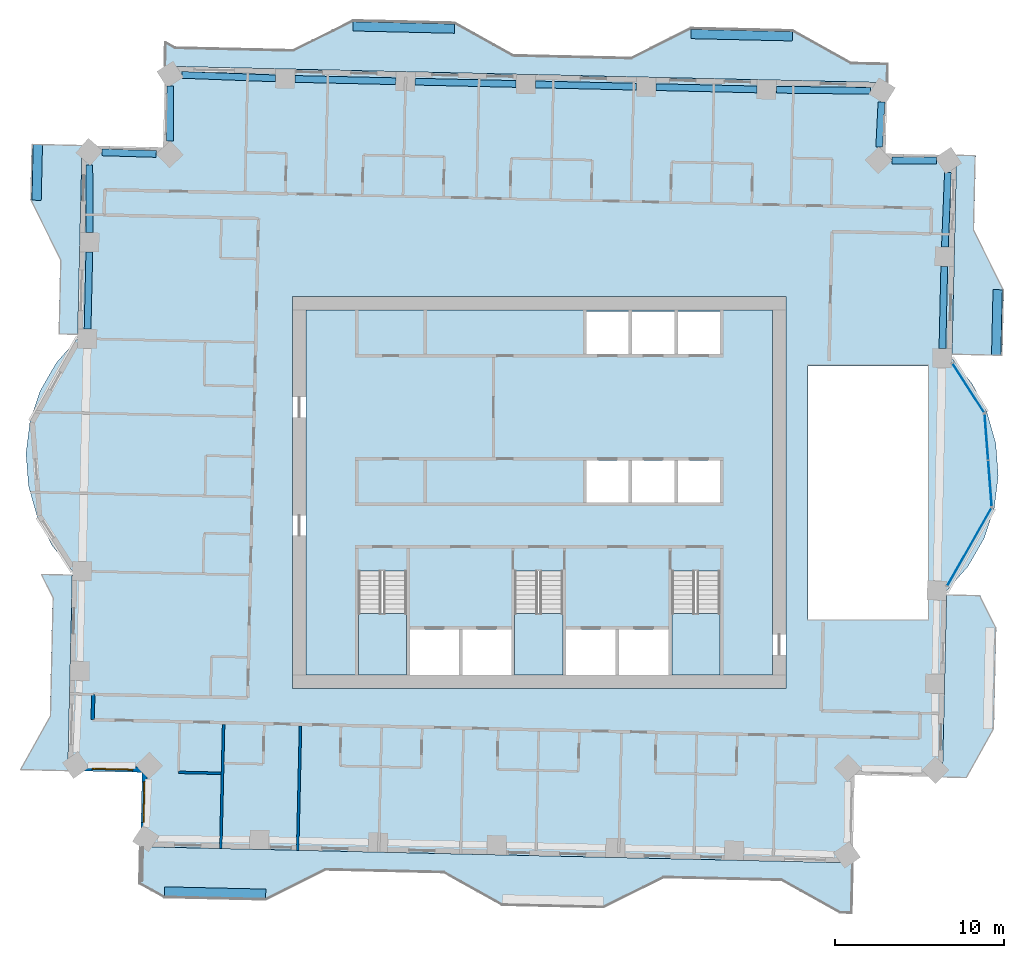
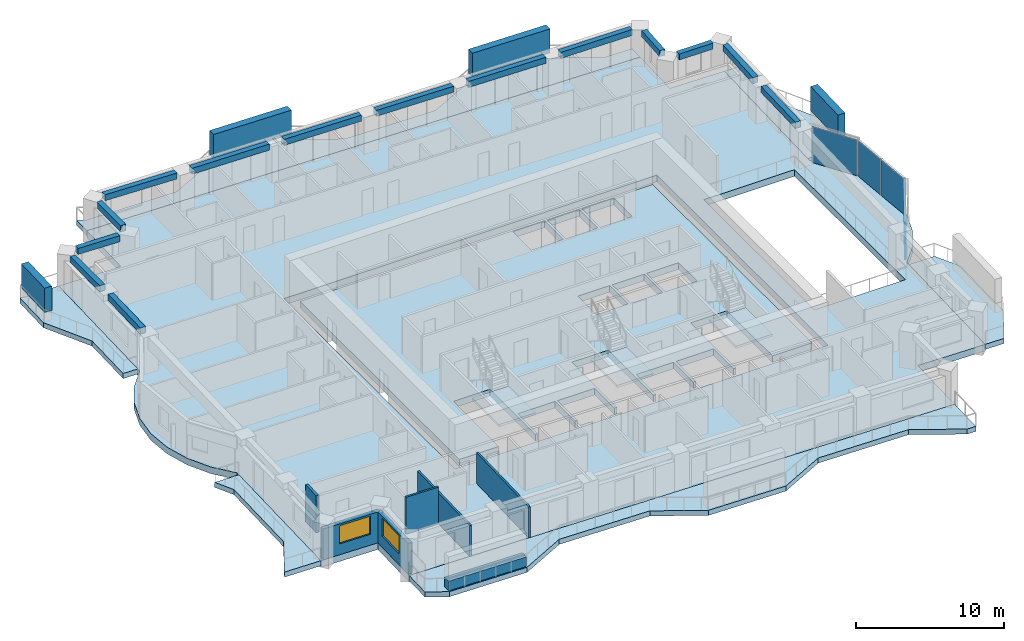
# One storey, part 3 of 14: 14 beams, 11 slabs, 7 walls, 4 members, 4 plates, 2 windows, 2 openings, 6 elements without a shape of their own.
"""IFC4 building model written with IfcOpenShell, lengths in metres."""

from ifc_helpers import new_model, si_unit, direction, frame, frame_2d, origin, origin_2d, place, context, subcontext, project, spatial, polyline, rectangle, outline, extrude, material, layer, layer_set, material_profile, profile_set, type_object, element, fill, aggregate, save


model = new_model("IFC4")

# Units and contexts
model_context = context("Model", 3, precision=1e-05, world=origin(), true_north=direction((0.0, 1.0)))
body_context = subcontext(model_context, "Body", "Model", "MODEL_VIEW")
ifc_project = project(units=[si_unit("LENGTHUNIT", "METRE"), si_unit("AREAUNIT", "SQUARE_METRE"), si_unit("VOLUMEUNIT", "CUBIC_METRE"), si_unit("PLANEANGLEUNIT", "RADIAN"), si_unit("MASSUNIT", "GRAM", prefix="KILO")], contexts=[model_context])

# Site, building, storey
site_placement = place(None, origin())
site = spatial("IfcSite", under=ifc_project, at=site_placement, CompositionType="ELEMENT")
building_placement = place(site_placement, origin())
building = spatial("IfcBuilding", under=site, at=building_placement, Name="Mangrove Gate Tower", CompositionType="ELEMENT")
storey_placement = place(building_placement, frame((0.0, 0.0, 205.10009765625)))
storey = spatial("IfcBuildingStorey", under=building, at=storey_placement, Name="L52", CompositionType="ELEMENT", Elevation=205.10009765625)

# Members
ifc_material_1 = material(Name="Planting on aluminium trellis", Category="aluminium")
ifc_material_profile_1 = material_profile(ifc_material_1, rectangle(XDim=0.550048828125, YDim=2.0, at=origin_2d()))
ifc_profile_set_1 = profile_set([ifc_material_profile_1], Name="Planting on aluminium trellis")
member_type = type_object("IfcMemberType", Name="Balcony greenery screen 550x2000", PredefinedType="USERDEFINED", material=ifc_profile_set_1)
member_1_placement = place(storey_placement, frame((27.041015625, 8.126953125, 1.7998046875), z_axis=(0.022681332769, 0.999742745482, 0.0), x_axis=(-0.999742745482, 0.022681332769, 0.0)))
element("IfcMember", 1, at=member_1_placement, inside=storey, type_object=member_type, Name="GREEN SCREEN L52 E1.1", ObjectType="PLANTING", PredefinedType="USERDEFINED", context=body_context, shape_type="SweptSolid", body=[
    extrude(rectangle(XDim=0.550048828125, YDim=2.0, at=origin_2d()), origin(), (0.0, 0.0, 1.0), 3.875),
])
for number, where, z_axis, x_axis, name in (
    (2, (8.98095703125, 27.131103515625, 1.7998046875), (0.999743178102, -0.022662255828, 0.0), (0.022662255828, 0.999743178102, 0.0), "GREEN SCREEN L52 N0.1"),
    (3, (-11.013916015625, 27.5849609375, 1.7998046875), (0.999743178102, -0.022662255828, 0.0), (0.022662255828, 0.999743178102, 0.0), "GREEN SCREEN L52 N1.1"),
):
    element("IfcMember", number, at=place(storey_placement, frame(where, z_axis=z_axis, x_axis=x_axis)), inside=storey, type_object=member_type, Name=name, ObjectType="PLANTING", PredefinedType="USERDEFINED", context=body_context, shape_type="SweptSolid", body=[
        extrude(rectangle(XDim=0.550048828125, YDim=2.0, at=origin_2d()), origin(), (0.0, 0.0, 1.0), 6.00048828125),
    ])
member_2_placement = place(storey_placement, frame((-29.739013671875, 17.29296875, 1.7998046875), z_axis=(0.022713002452, 0.999742026485, 0.0), x_axis=(-0.999742026485, 0.022713002452, 0.0)))
element("IfcMember", 4, at=member_2_placement, inside=storey, type_object=member_type, Name="GREEN SCREEN L52 W0.1", ObjectType="PLANTING", PredefinedType="USERDEFINED", context=body_context, shape_type="SweptSolid", body=[
    extrude(rectangle(XDim=0.550048828125, YDim=2.0, at=origin_2d()), origin(), (0.0, 0.0, 1.0), 3.2998046875),
])

# Beams
ifc_material_2 = material(Name="Concrete C50/60", Category="concrete")
ifc_material_profile_2 = material_profile(ifc_material_2, rectangle(XDim=0.39990234375, YDim=0.5, at=origin_2d()))
ifc_profile_set_2 = profile_set([ifc_material_profile_2], Name="Concrete C50/60")
beam_type = type_object("IfcBeamType", Name="Edge beam RC 400x500 C50/60", PredefinedType="BEAM", material=ifc_profile_set_2)
beam_1_placement = place(storey_placement, frame((23.859130859375, 8.52490234375, 2.7998046875), z_axis=(0.022798974864, 0.999740069591, 0.0), x_axis=(-0.999740069591, 0.022798974864, 0.0)))
element("IfcBeam", 5, at=beam_1_placement, inside=storey, type_object=beam_type, Name="Edge beam L52 15", PredefinedType="BEAM", context=body_context, shape_type="SweptSolid", body=[
    extrude(rectangle(XDim=0.39990234375, YDim=0.5, at=origin_2d()), origin(), (0.0, 0.0, 1.0), 4.861572265625),
])
beam_2_placement = place(storey_placement, frame((24.006591796875, 14.53466796875, 2.7998046875), z_axis=(0.040852484804, 0.999165188788, 0.0), x_axis=(-0.999165188788, 0.040852484804, 0.0)))
element("IfcBeam", 6, at=beam_2_placement, inside=storey, type_object=beam_type, Name="Edge beam L52 16", PredefinedType="BEAM", context=body_context, shape_type="SweptSolid", body=[
    extrude(rectangle(XDim=0.39990234375, YDim=0.5, at=origin_2d()), origin(), (0.0, 0.0, 1.0), 4.3984375),
])
beam_3_placement = place(storey_placement, frame((23.522705078125, 19.64208984375, 2.7998046875), z_axis=(-0.999992123666, 0.003968955263, 0.0), x_axis=(-0.003968955263, -0.999992123666, 0.0)))
element("IfcBeam", 7, at=beam_3_placement, inside=storey, type_object=beam_type, Name="Edge beam L52 17", PredefinedType="BEAM", context=body_context, shape_type="SweptSolid", body=[
    extrude(rectangle(XDim=0.39990234375, YDim=0.5, at=origin_2d()), origin(), (0.0, 0.0, 1.0), 2.64501953125),
])
beam_4_placement = place(storey_placement, frame((20.119140625, 20.446044921875, 2.7998046875), z_axis=(0.050485995205, 0.998724769037, 0.0), x_axis=(-0.998724769037, 0.050485995205, 0.0)))
element("IfcBeam", 8, at=beam_4_placement, inside=storey, type_object=beam_type, Name="Edge beam L52 18", PredefinedType="BEAM", context=body_context, shape_type="SweptSolid", body=[
    extrude(rectangle(XDim=0.39990234375, YDim=0.5, at=origin_2d()), origin(), (0.0, 0.0, 1.0), 2.66455078125),
])
beam_5_placement = place(storey_placement, frame((19.61474609375, 23.77099609375, 2.7998046875), z_axis=(-0.999938842602, 0.011059432882, 0.0), x_axis=(-0.011059432882, -0.999938842602, 0.0)))
element("IfcBeam", 9, at=beam_5_placement, inside=storey, type_object=beam_type, Name="Edge beam L52 19", PredefinedType="BEAM", context=body_context, shape_type="SweptSolid", body=[
    extrude(rectangle(XDim=0.39990234375, YDim=0.5, at=origin_2d()), origin(), (0.0, 0.0, 1.0), 5.5849609375),
])
beam_6_placement = place(storey_placement, frame((12.880126953125, 23.852294921875, 2.7998046875), z_axis=(-0.999741814446, 0.022722333681, 0.0), x_axis=(-0.022722333681, -0.999741814446, 0.0)))
element("IfcBeam", 10, at=beam_6_placement, inside=storey, type_object=beam_type, Name="Edge beam L52 20", PredefinedType="BEAM", context=body_context, shape_type="SweptSolid", body=[
    extrude(rectangle(XDim=0.39990234375, YDim=0.5, at=origin_2d()), origin(), (0.0, 0.0, 1.0), 5.973876953125),
])
beam_7_placement = place(storey_placement, frame((5.758056640625, 24.01416015625, 2.7998046875), z_axis=(-0.999744571166, 0.022600717352, 0.0), x_axis=(-0.022600717352, -0.999744571166, 0.0)))
element("IfcBeam", 11, at=beam_7_placement, inside=storey, type_object=beam_type, Name="Edge beam L52 21", PredefinedType="BEAM", context=body_context, shape_type="SweptSolid", body=[
    extrude(rectangle(XDim=0.39990234375, YDim=0.5, at=origin_2d()), origin(), (0.0, 0.0, 1.0), 5.9736328125),
])
for number, where, z_axis, x_axis, name in (
    (12, (-1.36376953125, 24.17529296875, 2.7998046875), (-0.999741814446, 0.022722333681, 0.0), (-0.022722333681, -0.999741814446, 0.0), "Edge beam L52 22"),
    (13, (-8.48583984375, 24.337158203125, 2.7998046875), (-0.99974459204, 0.02259979395, 0.0), (-0.02259979395, -0.99974459204, 0.0), "Edge beam L52 23"),
):
    element("IfcBeam", number, at=place(storey_placement, frame(where, z_axis=z_axis, x_axis=x_axis)), inside=storey, type_object=beam_type, Name=name, PredefinedType="BEAM", context=body_context, shape_type="SweptSolid", body=[
        extrude(rectangle(XDim=0.39990234375, YDim=0.5, at=origin_2d()), origin(), (0.0, 0.0, 1.0), 5.973876953125),
    ])
beam_8_placement = place(storey_placement, frame((-15.607666015625, 24.506591796875, 2.7998046875), z_axis=(-0.999309985278, 0.037142338694, 0.0), x_axis=(-0.037142338694, -0.999309985278, 0.0)))
element("IfcBeam", 14, at=beam_8_placement, inside=storey, type_object=beam_type, Name="Edge beam L52 24", PredefinedType="BEAM", context=body_context, shape_type="SweptSolid", body=[
    extrude(rectangle(XDim=0.39990234375, YDim=0.5, at=origin_2d()), origin(), (0.0, 0.0, 1.0), 5.528076171875),
])
beam_9_placement = place(storey_placement, frame((-21.834716796875, 24.052734375, 2.7998046875), z_axis=(-0.004737501355, -0.999988777977, 0.0), x_axis=(0.999988777977, -0.004737501355, 0.0)))
element("IfcBeam", 15, at=beam_9_placement, inside=storey, type_object=beam_type, Name="Edge beam L52 25", PredefinedType="BEAM", context=body_context, shape_type="SweptSolid", body=[
    extrude(rectangle(XDim=0.39990234375, YDim=0.5, at=origin_2d()), origin(), (0.0, 0.0, 1.0), 3.24658203125),
])
beam_10_placement = place(storey_placement, frame((-22.660400390625, 20.03173828125, 2.7998046875), z_axis=(-0.999538107107, 0.030390334664, 0.0), x_axis=(-0.030390334664, -0.999538107107, 0.0)))
element("IfcBeam", 16, at=beam_10_placement, inside=storey, type_object=beam_type, Name="Edge beam L52 26", PredefinedType="BEAM", context=body_context, shape_type="SweptSolid", body=[
    extrude(rectangle(XDim=0.39990234375, YDim=0.5, at=origin_2d()), origin(), (0.0, 0.0, 1.0), 3.21337890625),
])
beam_11_placement = place(storey_placement, frame((-26.616455078125, 19.384521484375, 2.7998046875), z_axis=(0.002501517494, -0.9999968712, 0.0), x_axis=(0.9999968712, 0.002501517494, 0.0)))
element("IfcBeam", 17, at=beam_11_placement, inside=storey, type_object=beam_type, Name="Edge beam L52 27", PredefinedType="BEAM", context=body_context, shape_type="SweptSolid", body=[
    extrude(rectangle(XDim=0.39990234375, YDim=0.5, at=origin_2d()), origin(), (0.0, 0.0, 1.0), 4.00146484375),
])
beam_12_placement = place(storey_placement, frame((-26.6181640625, 14.233154296875, 2.7998046875), z_axis=(-0.022586452437, -0.999744893543, 0.0), x_axis=(0.999744893543, -0.022586452437, 0.0)))
element("IfcBeam", 18, at=beam_12_placement, inside=storey, type_object=beam_type, Name="Edge beam L52 28", PredefinedType="BEAM", context=body_context, shape_type="SweptSolid", body=[
    extrude(rectangle(XDim=0.39990234375, YDim=0.5, at=origin_2d()), origin(), (0.0, 0.0, 1.0), 4.5615234375),
])

# Curtain wall, plate
ifc_material_3 = material(Name="Aluminium and glass curtain wall", Category="aluminium")
curtain_wall_type = type_object("IfcCurtainWallType", Name="Atrium garden-court glazing wall", PredefinedType="NOTDEFINED", material=ifc_material_3)
curtain_wall_1_placement = place(storey_placement, origin())
curtain_wall_1 = element("IfcCurtainWall", 19, at=curtain_wall_1_placement, inside=storey, type_object=curtain_wall_type, Name="Atrium garden-court glazing E1f1", PredefinedType="NOTDEFINED")
ifc_material_4 = material(Name="Laminated low-e glass", Category="glass")
ifc_layer_1 = layer(ifc_material_4, 0.031982421875)
ifc_layer_set_1 = layer_set([ifc_layer_1], Name="Atrium garden-court glazing panel 32")
plate_type = type_object("IfcPlateType", Name="Atrium garden-court glazing panel 32", PredefinedType="CURTAIN_PANEL", material=ifc_layer_set_1)
plate_1_placement = place(storey_placement, frame((25.4541015625, -3.217041015625, 0.0), z_axis=(0.0, 0.0, 1.0), x_axis=(0.492599932635, 0.870255885569, 0.0)))
plate_1 = element("IfcPlate", 20, at=plate_1_placement, type_object=plate_type, Name="CWA panel 1.1", PredefinedType="CURTAIN_PANEL", context=body_context, shape_type="SweptSolid", body=[
    extrude(rectangle(XDim=5.258544921875, YDim=0.031982421875, at=origin_2d()), origin(), (0.0, 0.0, 1.0), 2.97998046875),
])
aggregate(curtain_wall_1, [plate_1])

# Curtain wall, plates
curtain_wall_2_placement = place(storey_placement, origin())
curtain_wall_2 = element("IfcCurtainWall", 21, at=curtain_wall_2_placement, inside=storey, type_object=curtain_wall_type, Name="Atrium garden-court glazing E1f2", PredefinedType="NOTDEFINED")
plate_2_placement = place(storey_placement, frame((26.67529296875, 0.538818359375, 0.0), z_axis=(0.0, 0.0, 1.0), x_axis=(-0.077023348229, 0.997029289353, 0.0)))
plate_2 = element("IfcPlate", 22, at=plate_2_placement, type_object=plate_type, Name="CWA panel 1.1", PredefinedType="CURTAIN_PANEL", context=body_context, shape_type="SweptSolid", body=[
    extrude(rectangle(XDim=2.681640625, YDim=0.031982421875, at=origin_2d()), origin(), (0.0, 0.0, 1.0), 2.97998046875),
])
plate_3_placement = place(storey_placement, frame((26.463134765625, 3.2822265625, 0.0), z_axis=(0.0, 0.0, 1.0), x_axis=(-0.077023348229, 0.997029289353, 0.0)))
plate_3 = element("IfcPlate", 23, at=plate_3_placement, type_object=plate_type, Name="CWA panel 2.1", PredefinedType="CURTAIN_PANEL", context=body_context, shape_type="SweptSolid", body=[
    extrude(rectangle(XDim=2.681640625, YDim=0.031982421875, at=origin_2d()), origin(), (0.0, 0.0, 1.0), 2.97998046875),
])
aggregate(curtain_wall_2, [plate_2, plate_3])

# Curtain wall, plate
curtain_wall_3_placement = place(storey_placement, origin())
curtain_wall_3 = element("IfcCurtainWall", 24, at=curtain_wall_3_placement, inside=storey, type_object=curtain_wall_type, Name="Atrium garden-court glazing E1f3", PredefinedType="NOTDEFINED")
plate_4_placement = place(storey_placement, frame((25.389892578125, 6.190185546875, 0.0), z_axis=(0.0, 0.0, 1.0), x_axis=(-0.540523066602, 0.841329195067, 0.0)))
plate_4 = element("IfcPlate", 25, at=plate_4_placement, type_object=plate_type, Name="CWA panel 1.1", PredefinedType="CURTAIN_PANEL", context=body_context, shape_type="SweptSolid", body=[
    extrude(rectangle(XDim=3.428955078125, YDim=0.031982421875, at=origin_2d()), origin(), (0.0, 0.0, 1.0), 2.97998046875),
])
aggregate(curtain_wall_3, [plate_4])

# Slabs
ifc_material_5 = material(Name="Porcelain tile")
ifc_layer_2 = layer(ifc_material_5, 0.02001953125, Name="Tile finish")
ifc_material_6 = material(Name="Cement sand screed")
ifc_layer_3 = layer(ifc_material_6, 0.0400390625, Name="Screed laid to falls")
ifc_material_7 = material(Name="Bituminous waterproofing membrane")
ifc_layer_4 = layer(ifc_material_7, 0.00390625, Name="Waterproofing")
ifc_material_8 = material(Name="Concrete C40/50", Category="concrete")
ifc_layer_5 = layer(ifc_material_8, 0.340087890625, Name="Balcony structural slab")
ifc_material_9 = material(Name="Limestone", Category="masonry")
ifc_layer_6 = layer(ifc_material_9, 0.01611328125, Name="Soffit lining")
ifc_layer_set_2 = layer_set([ifc_layer_2, ifc_layer_3, ifc_layer_4, ifc_layer_5, ifc_layer_6], Name="Balcony slab 420 C40/50")
slab_type_1 = type_object("IfcSlabType", Name="Balcony slab 420 C40/50", PredefinedType="FLOOR", material=ifc_layer_set_2)
slab_1_placement = place(storey_placement, frame((0.0, 0.0, -0.420166015625)))
element("IfcSlab", 26, at=slab_1_placement, inside=storey, type_object=slab_type_1, Name="BALCONY L52 E0", PredefinedType="FLOOR", context=body_context, shape_type="SweptSolid", body=[
    extrude(outline(polyline([(25.31591796875, -16.864990234375), (26.9140625, -14.0009765625), (27.050048828125, -8.001953125), (26.10205078125, -6.10595703125), (24.10400390625, -6.06005859375), (24.06103515625, -7.93505859375), (23.925048828125, -13.93310546875), (23.85888671875, -16.83203125), (25.31591796875, -16.864990234375)])), origin(), (0.0, 0.0, 1.0), 0.420166015625),
])
slab_2_placement = place(storey_placement, frame((0.0, 0.0, -0.420166015625)))
element("IfcSlab", 27, at=slab_2_placement, inside=storey, type_object=slab_type_1, Name="BALCONY L52 E1", PredefinedType="FLOOR", context=body_context, shape_type="SweptSolid", body=[
    extrude(outline(polyline([(27.416015625, 8.118896484375), (27.50390625, 11.991943359375), (25.73388671875, 15.532958984375), (25.833984375, 19.931884765625), (24.694091796875, 19.9580078125), (24.593994140625, 15.55908203125), (24.514892578125, 12.06005859375), (24.427001953125, 8.18701171875), (27.416015625, 8.118896484375)])), origin(), (0.0, 0.0, 1.0), 0.420166015625),
])
slab_3_placement = place(storey_placement, frame((0.0, 0.0, -0.420166015625)))
element("IfcSlab", 28, at=slab_3_placement, inside=storey, type_object=slab_type_1, Name="BALCONY L52 N0", PredefinedType="FLOOR", context=body_context, shape_type="SweptSolid", body=[
    extrude(outline(polyline([(20.615966796875, 25.39208984375), (18.445068359375, 25.44091796875), (14.988037109375, 27.3701171875), (8.989013671875, 27.506103515625), (5.447998046875, 25.736083984375), (-1.550048828125, 25.89501953125), (-5.007080078125, 27.823974609375), (-11.006103515625, 27.9599609375), (-14.547119140625, 26.19091796875), (-21.544921875, 26.34912109375), (-22.110107421875, 26.6640625), (-22.14208984375, 25.221923828125), (20.590087890625, 24.251953125), (20.615966796875, 25.39208984375)])), origin(), (0.0, 0.0, 1.0), 0.420166015625),
])
slab_4_placement = place(storey_placement, frame((0.0, 0.0, -0.420166015625)))
element("IfcSlab", 29, at=slab_4_placement, inside=storey, type_object=slab_type_1, Name="BALCONY L52 W0", PredefinedType="FLOOR", context=body_context, shape_type="SweptSolid", body=[
    extrude(outline(polyline([(-30.0390625, 20.60009765625), (-30.114013671875, 17.301025390625), (-28.343994140625, 13.760009765625), (-28.443115234375, 9.385986328125), (-27.303955078125, 9.360107421875), (-27.2041015625, 13.73388671875), (-27.125, 17.23291015625), (-27.050048828125, 20.531982421875), (-30.0390625, 20.60009765625)])), origin(), (0.0, 0.0, 1.0), 0.420166015625),
])
slab_5_placement = place(storey_placement, frame((0.0, 0.0, -0.420166015625)))
element("IfcSlab", 30, at=slab_5_placement, inside=storey, type_object=slab_type_1, Name="BALCONY L52 W1", PredefinedType="FLOOR", context=body_context, shape_type="SweptSolid", body=[
    extrude(outline(polyline([(-29.492919921875, -4.843994140625), (-28.798095703125, -6.235107421875), (-28.95703125, -13.23291015625), (-30.719970703125, -16.39404296875), (-27.889892578125, -16.4580078125), (-27.81689453125, -13.259033203125), (-27.657958984375, -6.260986328125), (-27.626953125, -4.886962890625), (-29.492919921875, -4.843994140625)])), origin(), (0.0, 0.0, 1.0), 0.420166015625),
])
slab_6_placement = place(storey_placement, frame((0.0, 0.0, -0.420166015625)))
element("IfcSlab", 31, at=slab_6_placement, inside=storey, type_object=slab_type_1, Name="BALCONY L52 S0", PredefinedType="FLOOR", context=body_context, shape_type="SweptSolid", body=[
    extrude(outline(polyline([(-23.64111328125, -23.16796875), (-22.18701171875, -23.97998046875), (-16.18798828125, -24.115966796875), (-12.64697265625, -22.345947265625), (-5.64892578125, -22.50390625), (-2.19189453125, -24.43310546875), (3.806884765625, -24.569091796875), (7.347900390625, -22.800048828125), (14.345947265625, -22.9580078125), (17.802978515625, -24.886962890625), (18.47509765625, -24.902099609375), (18.54296875, -21.9130859375), (-23.591064453125, -20.95703125), (-23.64111328125, -23.16796875)])), origin(), (0.0, 0.0, 1.0), 0.420166015625),
])
ifc_material_10 = material(Name="Concrete C40/50", Category="concrete")
ifc_layer_7 = layer(ifc_material_10, 0.550048828125)
ifc_layer_set_3 = layer_set([ifc_layer_7], Name="Core floor slab 550 C40/50")
slab_type_2 = type_object("IfcSlabType", Name="Core floor slab 550 C40/50", PredefinedType="FLOOR", material=ifc_layer_set_3)
slab_7_placement = place(storey_placement, frame((0.0, 0.0, -0.550048828125)))
element("IfcSlab", 32, at=slab_7_placement, inside=storey, type_object=slab_type_2, Name="SLAB-L52-CORE-1", PredefinedType="FLOOR", context=body_context, shape_type="SweptSolid", body=[
    extrude(outline(polyline([(-13.800048828125, -10.800048828125), (-13.800048828125, 10.800048828125), (13.800048828125, 10.800048828125), (13.800048828125, -10.800048828125), (10.699951171875, -10.800048828125), (10.699951171875, -4.653076171875), (7.85009765625, -4.653076171875), (7.85009765625, -10.800048828125), (7.64990234375, -10.800048828125), (7.64990234375, -8.10009765625), (4.72509765625, -8.10009765625), (4.72509765625, -10.800048828125), (4.52490234375, -10.800048828125), (4.52490234375, -8.10009765625), (1.60009765625, -8.10009765625), (1.60009765625, -10.800048828125), (1.39990234375, -10.800048828125), (1.39990234375, -4.653076171875), (-1.449951171875, -4.653076171875), (-1.449951171875, -10.800048828125), (-1.64990234375, -10.800048828125), (-1.64990234375, -8.10009765625), (-4.550048828125, -8.10009765625), (-4.550048828125, -10.800048828125), (-4.75, -10.800048828125), (-4.75, -8.10009765625), (-7.64990234375, -8.10009765625), (-7.64990234375, -10.800048828125), (-7.85009765625, -10.800048828125), (-7.85009765625, -4.653076171875), (-10.699951171875, -4.653076171875), (-10.699951171875, -10.800048828125), (-13.800048828125, -10.800048828125)]), holes=[polyline([(5.300048828125, -0.60009765625), (5.300048828125, 1.89990234375), (2.800048828125, 1.89990234375), (2.800048828125, -0.60009765625), (5.300048828125, -0.60009765625)]), polyline([(5.300048828125, 10.699951171875), (2.800048828125, 10.699951171875), (2.800048828125, 8.199951171875), (5.300048828125, 8.199951171875), (5.300048828125, 10.699951171875)]), polyline([(8.0, -0.60009765625), (8.0, 1.89990234375), (5.5, 1.89990234375), (5.5, -0.60009765625), (8.0, -0.60009765625)]), polyline([(10.699951171875, -0.60009765625), (10.699951171875, 1.89990234375), (8.199951171875, 1.89990234375), (8.199951171875, -0.60009765625), (10.699951171875, -0.60009765625)]), polyline([(8.0, 8.199951171875), (8.0, 10.699951171875), (5.5, 10.699951171875), (5.5, 8.199951171875), (8.0, 8.199951171875)]), polyline([(10.699951171875, 8.199951171875), (10.699951171875, 10.699951171875), (8.199951171875, 10.699951171875), (8.199951171875, 8.199951171875), (10.699951171875, 8.199951171875)])]), origin(), (0.0, 0.0, 1.0), 0.550048828125),
])

# Stair, slab
ifc_material_11 = material(Name="Concrete C40/50", Category="concrete")
stair_type = type_object("IfcStairType", Name="Core stair 1350", PredefinedType="HALF_TURN_STAIR", material=ifc_material_11)
stair_1_placement = place(storey_placement, origin())
stair_1 = element("IfcStair", 33, at=stair_1_placement, inside=storey, type_object=stair_type, Name="L52 Stair 1", PredefinedType="HALF_TURN_STAIR")
ifc_material_12 = material(Name="Concrete C40/50", Category="concrete")
ifc_layer_8 = layer(ifc_material_12, 0.199951171875)
ifc_layer_set_4 = layer_set([ifc_layer_8], Name="Core stair landing 200")
slab_type_3 = type_object("IfcSlabType", Name="Core stair landing 200", PredefinedType="LANDING", material=ifc_layer_set_4)
slab_8_placement = place(storey_placement, frame((0.0, 0.0, 1.599853515625)))
slab_8 = element("IfcSlab", 34, at=slab_8_placement, type_object=slab_type_3, Name="ST1 landing 1", PredefinedType="LANDING", context=body_context, shape_type="SweptSolid", body=[
    extrude(outline(polyline([(-10.699951171875, -7.169921875), (-10.699951171875, -10.800048828125), (-7.85009765625, -10.800048828125), (-7.85009765625, -7.169921875), (-10.699951171875, -7.169921875)])), origin(), (0.0, 0.0, 1.0), 0.199951171875),
])
aggregate(stair_1, [slab_8])

stair_2_placement = place(storey_placement, origin())
stair_2 = element("IfcStair", 35, at=stair_2_placement, inside=storey, type_object=stair_type, Name="L52 Stair 2", PredefinedType="HALF_TURN_STAIR")
slab_9_placement = place(storey_placement, frame((0.0, 0.0, 1.599853515625)))
slab_9 = element("IfcSlab", 36, at=slab_9_placement, type_object=slab_type_3, Name="ST2 landing 1", PredefinedType="LANDING", context=body_context, shape_type="SweptSolid", body=[
    extrude(outline(polyline([(-1.449951171875, -7.169921875), (-1.449951171875, -10.800048828125), (1.39990234375, -10.800048828125), (1.39990234375, -7.169921875), (-1.449951171875, -7.169921875)])), origin(), (0.0, 0.0, 1.0), 0.199951171875),
])
aggregate(stair_2, [slab_9])

stair_3_placement = place(storey_placement, origin())
stair_3 = element("IfcStair", 37, at=stair_3_placement, inside=storey, type_object=stair_type, Name="L52 Stair 3", PredefinedType="HALF_TURN_STAIR")
slab_10_placement = place(storey_placement, frame((0.0, 0.0, 1.599853515625)))
slab_10 = element("IfcSlab", 38, at=slab_10_placement, type_object=slab_type_3, Name="ST3 landing 1", PredefinedType="LANDING", context=body_context, shape_type="SweptSolid", body=[
    extrude(outline(polyline([(7.85009765625, -7.169921875), (7.85009765625, -10.800048828125), (10.699951171875, -10.800048828125), (10.699951171875, -7.169921875), (7.85009765625, -7.169921875)])), origin(), (0.0, 0.0, 1.0), 0.199951171875),
])
aggregate(stair_3, [slab_10])

# Slab
ifc_material_13 = material(Name="Concrete C40/50", Category="concrete")
ifc_layer_9 = layer(ifc_material_13, 0.550048828125)
ifc_layer_set_5 = layer_set([ifc_layer_9], Name="Floor slab 550 C40/50")
slab_type_4 = type_object("IfcSlabType", Name="Floor slab 550 C40/50", PredefinedType="FLOOR", material=ifc_layer_set_5)
slab_11_placement = place(storey_placement, frame((0.0, 0.0, -0.550048828125)))
element("IfcSlab", 39, at=slab_11_placement, inside=storey, type_object=slab_type_4, Name="Floor slab L52", PredefinedType="FLOOR", context=body_context, shape_type="SweptSolid", body=[
    extrude(outline(polyline([(-23.590576171875, -20.95703125), (18.54248046875, -21.9130859375), (18.66064453125, -16.71435546875), (23.859130859375, -16.832275390625), (24.109375, -5.810546875), (25.372314453125, -4.3740234375), (26.325439453125, -2.715576171875), (26.930908203125, -0.901123046875), (27.16455078125, 0.997314453125), (27.017333984375, 2.904296875), (26.494873046875, 4.744384765625), (25.617919921875, 6.4443359375), (24.42138671875, 7.9365234375), (24.694091796875, 19.958251953125), (20.4951171875, 20.053466796875), (20.590576171875, 24.25244140625), (-22.142578125, 25.22216796875), (-22.25146484375, 20.42333984375), (-27.050048828125, 20.5322265625), (-27.309326171875, 9.110595703125), (-28.572265625, 7.674072265625), (-29.525390625, 6.015625), (-30.130859375, 4.201171875), (-30.364501953125, 2.302734375), (-30.21728515625, 0.395751953125), (-29.69482421875, -1.4443359375), (-28.81787109375, -3.144287109375), (-27.621337890625, -4.636474609375), (-27.8896484375, -16.458251953125), (-23.49072265625, -16.55810546875), (-23.590576171875, -20.95703125)]), holes=[polyline([(15.89990234375, 7.5), (22.9951171875, 7.5), (22.9951171875, -7.5), (15.89990234375, -7.5), (15.89990234375, 7.5)]), polyline([(-14.60009765625, -11.60009765625), (-14.60009765625, 11.60009765625), (14.60009765625, 11.60009765625), (14.60009765625, -11.60009765625), (-14.60009765625, -11.60009765625)])]), origin(), (0.0, 0.0, 1.0), 0.550048828125),
])

# Wall
ifc_material_14 = material(Name="Gypsum board on steel stud, EI 60", Category="steel")
ifc_layer_10 = layer(ifc_material_14, 0.199951171875)
ifc_layer_set_6 = layer_set([ifc_layer_10], Name="Corridor wall EI 60")
wall_type_1 = type_object("IfcWallType", Name="Corridor wall EI 60", PredefinedType="PARTITIONING", material=ifc_layer_set_6)
wall_1_placement = place(storey_placement, frame((-26.4189453125, -13.44091796875, 0.0), z_axis=(0.0, 0.0, 1.0), x_axis=(0.022617910375, 0.999744182344, 0.0)))
element("IfcWall", 40, at=wall_1_placement, inside=storey, type_object=wall_type_1, Name="WALL-L52-025", PredefinedType="PARTITIONING", context=body_context, shape_type="SweptSolid", body=[
    extrude(rectangle(XDim=1.50048828125, YDim=0.199951171875, at=frame_2d((0.750244140625, 0.0))), origin(), (0.0, 0.0, 1.0), 3.0498046875),
])

# Wall, opening, window
ifc_layer_11 = layer(ifc_material_9, 0.0400390625, Name="Limestone cladding")
ifc_material_15 = material(Name="Ventilated air gap")
ifc_layer_12 = layer(ifc_material_15, 0.0400390625, Name="Ventilated cavity")
ifc_material_16 = material(Name="Mineral wool insulation")
ifc_layer_13 = layer(ifc_material_16, 0.06005859375, Name="Insulation")
ifc_material_17 = material(Name="Breather membrane")
ifc_layer_14 = layer(ifc_material_17, 0.001953125, Name="Breather membrane")
ifc_material_18 = material(Name="Concrete C20/25 blockwork", Category="masonry")
ifc_layer_15 = layer(ifc_material_18, 0.14990234375, Name="Blockwork backing wall")
ifc_material_19 = material(Name="Gypsum plaster")
ifc_layer_16 = layer(ifc_material_19, 0.008056640625, Name="Internal plaster")
ifc_layer_set_7 = layer_set([ifc_layer_11, ifc_layer_12, ifc_layer_13, ifc_layer_14, ifc_layer_15, ifc_layer_16], Name="External wall 300 limestone cladding")
wall_type_2 = type_object("IfcWallType", Name="External wall 300 limestone cladding", PredefinedType="SOLIDWALL", material=ifc_layer_set_7)
wall_2_placement = place(storey_placement, frame((-27.736083984375, -16.31201171875, 0.0), z_axis=(0.0, 0.0, 1.0), x_axis=(0.999747504193, -0.022470599878, 0.0)))
wall_2 = element("IfcWall", 41, at=wall_2_placement, inside=storey, type_object=wall_type_2, Name="WALL-L52-S11", PredefinedType="SOLIDWALL", context=body_context, shape_type="SweptSolid", body=[
    extrude(rectangle(XDim=4.400390625, YDim=0.300048828125, at=frame_2d((2.2001953125, 0.0))), origin(), (0.0, 0.0, 1.0), 2.5498046875),
])
opening_1_placement = place(wall_2_placement, frame((1.279052734375, 0.0, 0.89990234375)))
opening_1 = element("IfcOpeningElement", 42, at=opening_1_placement, cuts=wall_2, Name="Opening W2", PredefinedType="OPENING", context=body_context, shape_type="SweptSolid", body=[
    extrude(rectangle(XDim=2.39990234375, YDim=1.5, at=frame_2d((1.199951171875, 0.75))), frame((0.0, 0.159912109375, 0.0), z_axis=(0.0, -1.0, 0.0), x_axis=(1.0, 0.0, 0.0)), (0.0, 0.0, 1.0), 0.320068359375),
])
ifc_material_20 = material(Name="Aluminium frame with double-glazed low-e glass", Category="aluminium")
window_type = type_object("IfcWindowType", Name="Corner room window 2400x1500", PartitioningType="DOUBLE_PANEL_VERTICAL", PredefinedType="WINDOW", material=ifc_material_20)
window_1_placement = place(opening_1_placement, origin())
window_1 = element("IfcWindow", 43, at=window_1_placement, inside=storey, type_object=window_type, Name="WIN-L52-S11-1", OverallHeight=1.5, OverallWidth=2.39990234375, PartitioningType="DOUBLE_PANEL_VERTICAL", PredefinedType="WINDOW", context=body_context, shape_type="SweptSolid", body=[
    extrude(rectangle(XDim=2.39990234375, YDim=1.5, at=frame_2d((1.199951171875, 0.75))), frame((0.0, 0.030029296875, 0.0), z_axis=(0.0, -1.0, 0.0), x_axis=(1.0, 0.0, 0.0)), (0.0, 0.0, 1.0), 0.06005859375),
])
fill(opening_1, window_1)

wall_3_placement = place(storey_placement, frame((-23.3369140625, -16.410888671875, 0.0), z_axis=(0.0, 0.0, 1.0), x_axis=(-0.022747872013, -0.999741233679, 0.0)))
wall_3 = element("IfcWall", 44, at=wall_3_placement, inside=storey, type_object=wall_type_2, Name="WALL-L52-W12", PredefinedType="SOLIDWALL", context=body_context, shape_type="SweptSolid", body=[
    extrude(rectangle(XDim=4.400390625, YDim=0.300048828125, at=frame_2d((2.2001953125, 0.0))), origin(), (0.0, 0.0, 1.0), 2.5498046875),
])
opening_2_placement = place(wall_3_placement, frame((0.712890625, 0.0, 0.89990234375)))
opening_2 = element("IfcOpeningElement", 45, at=opening_2_placement, cuts=wall_3, Name="Opening W2", PredefinedType="OPENING", context=body_context, shape_type="SweptSolid", body=[
    extrude(rectangle(XDim=2.39990234375, YDim=1.5, at=frame_2d((1.199951171875, 0.75))), frame((0.0, 0.159912109375, 0.0), z_axis=(0.0, -1.0, 0.0), x_axis=(1.0, 0.0, 0.0)), (0.0, 0.0, 1.0), 0.320068359375),
])
window_2_placement = place(opening_2_placement, origin())
window_2 = element("IfcWindow", 46, at=window_2_placement, inside=storey, type_object=window_type, Name="WIN-L52-W12-1", OverallHeight=1.5, OverallWidth=2.39990234375, PartitioningType="DOUBLE_PANEL_VERTICAL", PredefinedType="WINDOW", context=body_context, shape_type="SweptSolid", body=[
    extrude(rectangle(XDim=2.39990234375, YDim=1.5, at=frame_2d((1.199951171875, 0.75))), frame((0.0, 0.030029296875, 0.0), z_axis=(0.0, -1.0, 0.0), x_axis=(1.0, 0.0, 0.0)), (0.0, 0.0, 1.0), 0.06005859375),
])
fill(opening_2, window_2)

# Walls
ifc_material_21 = material(Name="Gypsum board on steel stud, EI 60", Category="steel")
ifc_layer_17 = layer(ifc_material_21, 0.14990234375)
ifc_layer_set_8 = layer_set([ifc_layer_17], Name="Party wall 150 EI 60")
wall_type_3 = type_object("IfcWallType", Name="Party wall 150 EI 60", PredefinedType="PARTITIONING", material=ifc_layer_set_8)
for number, where, z_axis, x_axis, name in (
    (47, (-18.840087890625, -21.06494140625, 0.0), (0.0, 0.0, 1.0), (0.022720650804, 0.999741852694, 0.0), "WALL-L52-001"),
    (48, (-14.291015625, -21.16796875, 0.0), (0.0, 0.0, 1.0), (0.022720650804, 0.999741852694, 0.0), "WALL-L52-002"),
):
    element("IfcWall", number, at=place(storey_placement, frame(where, z_axis=z_axis, x_axis=x_axis)), inside=storey, type_object=wall_type_3, Name=name, PredefinedType="PARTITIONING", context=body_context, shape_type="SweptSolid", body=[
        extrude(rectangle(XDim=7.349853515625, YDim=0.14990234375, at=frame_2d((3.6748046875, 0.0))), origin(), (0.0, 0.0, 1.0), 2.5498046875),
    ])
wall_4_placement = place(storey_placement, frame((-21.340087890625, -16.556884765625, 0.0), z_axis=(0.0, 0.0, 1.0), x_axis=(0.999743977673, -0.022626955293, 0.0)))
element("IfcWall", 49, at=wall_4_placement, inside=storey, type_object=wall_type_3, Name="WALL-L52-009", PredefinedType="PARTITIONING", context=body_context, shape_type="SweptSolid", body=[
    extrude(rectangle(XDim=2.52490234375, YDim=0.14990234375, at=frame_2d((1.262451171875, 0.0))), origin(), (0.0, 0.0, 1.0), 3.0498046875),
])
ifc_material_22 = material(Name="Concrete C32/40", Category="concrete")
ifc_layer_18 = layer(ifc_material_22, 0.199951171875, Name="Planter trough wall")
ifc_layer_19 = layer(ifc_material_7, 0.0048828125, Name="Waterproofing")
ifc_material_23 = material(Name="Drainage board and gravel")
ifc_layer_20 = layer(ifc_material_23, 0.044921875, Name="Drainage layer")
ifc_material_24 = material(Name="Planting soil")
ifc_layer_21 = layer(ifc_material_24, 0.300048828125, Name="Growing medium")
ifc_layer_set_9 = layer_set([ifc_layer_18, ifc_layer_19, ifc_layer_20, ifc_layer_21], Name="Planter wall 550 C32/40")
wall_type_4 = type_object("IfcWallType", Name="Planter wall 550 C32/40", PredefinedType="USERDEFINED", material=ifc_layer_set_9)
wall_5_placement = place(storey_placement, frame((-22.178955078125, -23.60498046875, 0.0), z_axis=(0.0, 0.0, 1.0), x_axis=(0.999743178102, -0.022662255828, 0.0)))
element("IfcWall", 50, at=wall_5_placement, inside=storey, type_object=wall_type_4, Name="PLANTER L52 S0.1", ObjectType="PLANTER", PredefinedType="USERDEFINED", context=body_context, shape_type="SweptSolid", body=[
    extrude(rectangle(XDim=6.00048828125, YDim=0.550048828125, at=frame_2d((3.000244140625, 0.0))), origin(), (0.0, 0.0, 1.0), 0.7998046875),
])

save(model, "model.ifc")
